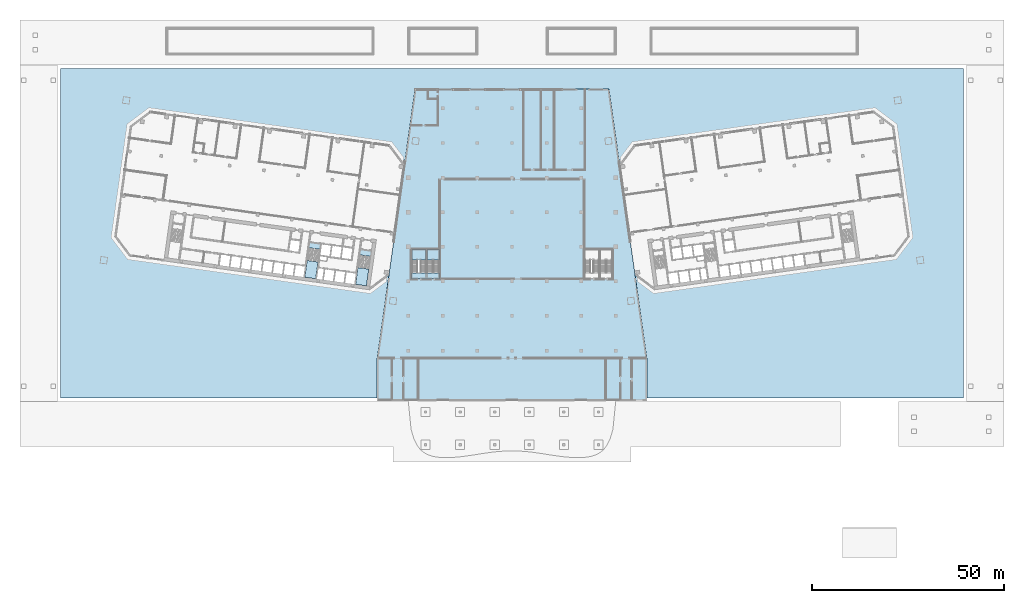
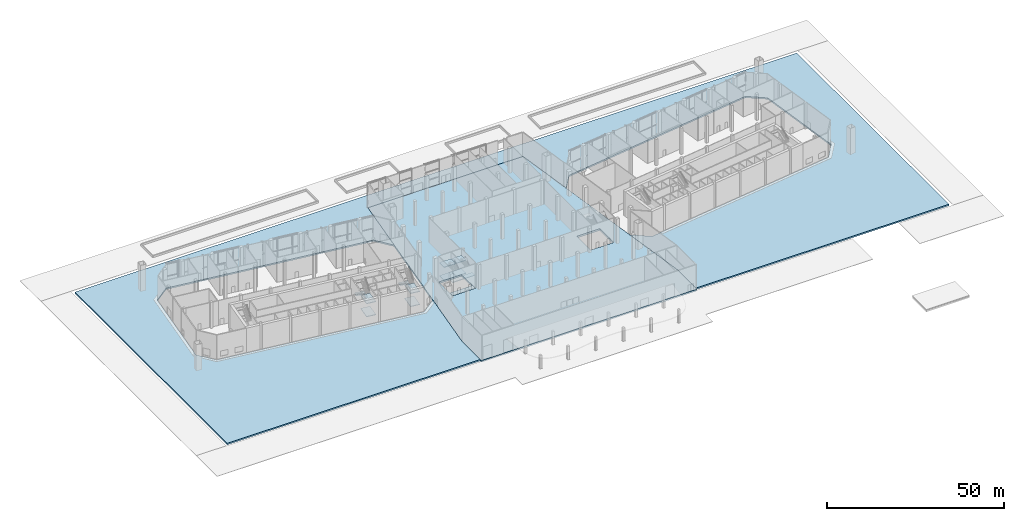
# One storey, part 10 of 34: 15 slabs, 4 elements without a shape of their own.
"""IFC4 building model written with IfcOpenShell, lengths in metres."""

from ifc_helpers import new_model, si_unit, direction, frame, origin, place, context, subcontext, project, spatial, polyline, outline, extrude, material, layer, layer_set, type_object, element, aggregate, save


model = new_model("IFC4")

# Units and contexts
model_context = context("Model", 3, precision=1e-05, world=origin(), true_north=direction((0.0, 1.0)))
body_context = subcontext(model_context, "Body", "Model", "MODEL_VIEW")
ifc_project = project(units=[si_unit("LENGTHUNIT", "METRE"), si_unit("AREAUNIT", "SQUARE_METRE"), si_unit("VOLUMEUNIT", "CUBIC_METRE"), si_unit("PLANEANGLEUNIT", "RADIAN"), si_unit("MASSUNIT", "GRAM", prefix="KILO")], contexts=[model_context])

# Site, building, storey
site_placement = place(None, origin())
site = spatial("IfcSite", under=ifc_project, at=site_placement, CompositionType="ELEMENT")
building_placement = place(site_placement, origin())
building = spatial("IfcBuilding", under=site, at=building_placement, Name="Mirante Cascada Hotel Towers", CompositionType="ELEMENT")
storey_placement = place(building_placement, origin())
storey = spatial("IfcBuildingStorey", under=building, at=storey_placement, Name="L00", CompositionType="ELEMENT", Elevation=0.0)

# Stair, slabs
ifc_material_1 = material(Name="Concrete C35/45", Category="concrete")
stair_type_1 = type_object("IfcStairType", Name="Exit stair half-turn 1350 concrete C35/45", PredefinedType="HALF_TURN_STAIR", material=ifc_material_1)
stair_1_placement = place(storey_placement, origin())
stair_1 = element("IfcStair", 1, at=stair_1_placement, inside=storey, type_object=stair_type_1, Name="L00 Exit stair A", PredefinedType="HALF_TURN_STAIR")
ifc_material_2 = material(Name="Concrete C35/45", Category="concrete")
ifc_layer_1 = layer(ifc_material_2, 0.2)
ifc_layer_set_1 = layer_set([ifc_layer_1], Name="Exit stair landing 200 concrete C35/45")
slab_type_1 = type_object("IfcSlabType", Name="Exit stair landing 200 concrete C35/45", PredefinedType="LANDING", material=ifc_layer_set_1)
slab_1_placement = place(storey_placement, frame((0.0, 0.0, 2.05)))
slab_1 = element("IfcSlab", 2, at=slab_1_placement, type_object=slab_type_1, Name="ST1-A landing 1", PredefinedType="LANDING", context=body_context, shape_type="SweptSolid", body=[
    extrude(outline(polyline([(-40.0767, -14.4205), (-40.6887, -18.7757), (-37.8665, -19.1723), (-37.2544, -14.8171), (-40.0767, -14.4205)])), origin(), (0.0, 0.0, 1.0), 0.2),
])
slab_2_placement = place(storey_placement, frame((0.0, 0.0, 4.3)))
slab_2 = element("IfcSlab", 3, at=slab_2_placement, type_object=slab_type_1, Name="ST1-A landing 2", PredefinedType="LANDING", context=body_context, shape_type="SweptSolid", body=[
    extrude(outline(polyline([(-39.4223, -9.7642), (-39.6113, -11.109), (-36.789, -11.5057), (-36.6, -10.1609), (-39.4223, -9.7642)])), origin(), (0.0, 0.0, 1.0), 0.2),
])
slab_3_placement = place(storey_placement, frame((0.0, 0.0, 6.55)))
slab_3 = element("IfcSlab", 4, at=slab_3_placement, type_object=slab_type_1, Name="ST1-A landing 3", PredefinedType="LANDING", context=body_context, shape_type="SweptSolid", body=[
    extrude(outline(polyline([(-40.0767, -14.4205), (-40.6887, -18.7757), (-37.8665, -19.1723), (-37.2544, -14.8171), (-40.0767, -14.4205)])), origin(), (0.0, 0.0, 1.0), 0.2),
])
aggregate(stair_1, [slab_1, slab_2, slab_3])

stair_2_placement = place(storey_placement, origin())
stair_2 = element("IfcStair", 5, at=stair_2_placement, inside=storey, type_object=stair_type_1, Name="L00 Exit stair B", PredefinedType="HALF_TURN_STAIR")
slab_4_placement = place(storey_placement, frame((0.0, 0.0, 2.05)))
slab_4 = element("IfcSlab", 6, at=slab_4_placement, type_object=slab_type_1, Name="ST1-B landing 1", PredefinedType="LANDING", context=body_context, shape_type="SweptSolid", body=[
    extrude(outline(polyline([(-53.2967, -12.5625), (-53.9088, -16.9177), (-51.0866, -17.3144), (-50.4745, -12.9592), (-53.2967, -12.5625)])), origin(), (0.0, 0.0, 1.0), 0.2),
])
slab_5_placement = place(storey_placement, frame((0.0, 0.0, 4.3)))
slab_5 = element("IfcSlab", 7, at=slab_5_placement, type_object=slab_type_1, Name="ST1-B landing 2", PredefinedType="LANDING", context=body_context, shape_type="SweptSolid", body=[
    extrude(outline(polyline([(-52.6423, -7.9063), (-52.8313, -9.2511), (-50.0091, -9.6477), (-49.8201, -8.3029), (-52.6423, -7.9063)])), origin(), (0.0, 0.0, 1.0), 0.2),
])
slab_6_placement = place(storey_placement, frame((0.0, 0.0, 6.55)))
slab_6 = element("IfcSlab", 8, at=slab_6_placement, type_object=slab_type_1, Name="ST1-B landing 3", PredefinedType="LANDING", context=body_context, shape_type="SweptSolid", body=[
    extrude(outline(polyline([(-53.2967, -12.5625), (-53.9088, -16.9177), (-51.0866, -17.3144), (-50.4745, -12.9592), (-53.2967, -12.5625)])), origin(), (0.0, 0.0, 1.0), 0.2),
])
aggregate(stair_2, [slab_4, slab_5, slab_6])

# Slabs
ifc_material_3 = material(Name="Concrete C35/45", Category="concrete")
ifc_layer_2 = layer(ifc_material_3, 0.6)
ifc_layer_set_2 = layer_set([ifc_layer_2], Name="Floor slab 600 C35/45")
slab_type_2 = type_object("IfcSlabType", Name="Floor slab 600 C35/45", PredefinedType="FLOOR", material=ifc_layer_set_2)
slab_7_placement = place(storey_placement, frame((0.0, 0.0, -0.6)))
element("IfcSlab", 9, at=slab_7_placement, inside=storey, type_object=slab_type_2, Name="Podium floor slab L00", PredefinedType="FLOOR", context=body_context, shape_type="SweptSolid", body=[
    extrude(outline(polyline([(-35.0595, -49.0), (-35.0595, -38.0), (-25.2216, 32.0), (25.2216, 32.0), (35.0595, -38.0), (35.0595, -49.0), (-35.0595, -49.0)]), holes=[polyline([(26.2, -17.4), (26.2, -9.6), (18.8, -9.6), (18.8, -17.4), (26.2, -17.4)]), polyline([(-18.8, -17.4), (-18.8, -9.6), (-26.2, -9.6), (-26.2, -17.4), (-18.8, -17.4)])]), origin(), (0.0, 0.0, 1.0), 0.6),
])
ifc_material_4 = material(Name="Concrete C35/45", Category="concrete")
ifc_layer_3 = layer(ifc_material_4, 0.5)
ifc_layer_set_3 = layer_set([ifc_layer_3], Name="Garden deck slab 500 C35/45")
slab_type_3 = type_object("IfcSlabType", Name="Garden deck slab 500 C35/45", PredefinedType="FLOOR", material=ifc_layer_set_3)
slab_8_placement = place(storey_placement, frame((0.0, 0.0, -0.5)))
element("IfcSlab", 10, at=slab_8_placement, inside=storey, type_object=slab_type_3, Name="Garden deck slab", PredefinedType="FLOOR", context=body_context, shape_type="SweptSolid", body=[
    extrude(outline(polyline([(35.0595, -48.4), (35.0595, -38.0), (32.018, -16.3589), (37.1005, -20.1888), (99.4874, -11.4209), (103.3173, -6.3384), (99.2813, 22.3794), (94.1988, 26.2093), (31.8119, 17.4414), (27.982, 12.3589), (25.2216, 32.0), (-25.2216, 32.0), (-27.982, 12.3589), (-31.8119, 17.4414), (-94.1988, 26.2093), (-99.2813, 22.3794), (-103.3173, -6.3384), (-99.4874, -11.4209), (-37.1005, -20.1888), (-32.018, -16.3589), (-35.0595, -38.0), (-35.0595, -48.4), (-117.4, -48.4), (-117.4, 37.4), (117.4, 37.4), (117.4, -48.4), (35.0595, -48.4)])), origin(), (0.0, 0.0, 1.0), 0.5),
])

# Stair, slabs
ifc_material_5 = material(Name="Concrete C35/45", Category="concrete")
stair_type_2 = type_object("IfcStairType", Name="Podium exit stair half-turn 1500 concrete C35/45", PredefinedType="HALF_TURN_STAIR", material=ifc_material_5)
stair_3_placement = place(storey_placement, origin())
stair_3 = element("IfcStair", 11, at=stair_3_placement, inside=storey, type_object=stair_type_2, Name="L00 Podium exit stair 3", PredefinedType="HALF_TURN_STAIR")
ifc_material_6 = material(Name="Concrete C35/45", Category="concrete")
ifc_layer_4 = layer(ifc_material_6, 0.2)
ifc_layer_set_4 = layer_set([ifc_layer_4], Name="Podium exit stair landing 200 concrete C35/45")
slab_type_4 = type_object("IfcSlabType", Name="Podium exit stair landing 200 concrete C35/45", PredefinedType="LANDING", material=ifc_layer_set_4)
slab_9_placement = place(storey_placement, frame((0.0, 0.0, 2.05)))
slab_9 = element("IfcSlab", 12, at=slab_9_placement, type_object=slab_type_4, Name="PS1 landing 1", PredefinedType="LANDING", context=body_context, shape_type="SweptSolid", body=[
    extrude(outline(polyline([(-18.925, -12.415), (-18.925, -9.725), (-22.075, -9.725), (-22.075, -12.415), (-18.925, -12.415)])), origin(), (0.0, 0.0, 1.0), 0.2),
])
slab_10_placement = place(storey_placement, frame((0.0, 0.0, 4.3)))
slab_10 = element("IfcSlab", 13, at=slab_10_placement, type_object=slab_type_4, Name="PS1 landing 2", PredefinedType="LANDING", context=body_context, shape_type="SweptSolid", body=[
    extrude(outline(polyline([(-18.925, -17.275), (-18.925, -15.775), (-22.075, -15.775), (-22.075, -17.275), (-18.925, -17.275)])), origin(), (0.0, 0.0, 1.0), 0.2),
])
slab_11_placement = place(storey_placement, frame((0.0, 0.0, 6.55)))
slab_11 = element("IfcSlab", 14, at=slab_11_placement, type_object=slab_type_4, Name="PS1 landing 3", PredefinedType="LANDING", context=body_context, shape_type="SweptSolid", body=[
    extrude(outline(polyline([(-18.925, -12.415), (-18.925, -9.725), (-22.075, -9.725), (-22.075, -12.415), (-18.925, -12.415)])), origin(), (0.0, 0.0, 1.0), 0.2),
])
aggregate(stair_3, [slab_9, slab_10, slab_11])

stair_4_placement = place(storey_placement, origin())
stair_4 = element("IfcStair", 15, at=stair_4_placement, inside=storey, type_object=stair_type_2, Name="L00 Podium exit stair 5", PredefinedType="HALF_TURN_STAIR")
slab_12_placement = place(storey_placement, frame((0.0, 0.0, 2.05)))
slab_12 = element("IfcSlab", 16, at=slab_12_placement, type_object=slab_type_4, Name="PS3 landing 1", PredefinedType="LANDING", context=body_context, shape_type="SweptSolid", body=[
    extrude(outline(polyline([(-22.325, -12.415), (-22.325, -9.725), (-26.075, -9.725), (-26.075, -12.415), (-22.325, -12.415)])), origin(), (0.0, 0.0, 1.0), 0.2),
])
slab_13_placement = place(storey_placement, frame((0.0, 0.0, 4.3)))
slab_13 = element("IfcSlab", 17, at=slab_13_placement, type_object=slab_type_4, Name="PS3 landing 2", PredefinedType="LANDING", context=body_context, shape_type="SweptSolid", body=[
    extrude(outline(polyline([(-22.325, -17.275), (-22.325, -15.775), (-26.075, -15.775), (-26.075, -17.275), (-22.325, -17.275)])), origin(), (0.0, 0.0, 1.0), 0.2),
])
slab_14_placement = place(storey_placement, frame((0.0, 0.0, 6.55)))
slab_14 = element("IfcSlab", 18, at=slab_14_placement, type_object=slab_type_4, Name="PS3 landing 3", PredefinedType="LANDING", context=body_context, shape_type="SweptSolid", body=[
    extrude(outline(polyline([(-22.325, -12.415), (-22.325, -9.725), (-26.075, -9.725), (-26.075, -12.415), (-22.325, -12.415)])), origin(), (0.0, 0.0, 1.0), 0.2),
])
aggregate(stair_4, [slab_12, slab_13, slab_14])

# Slab
ifc_material_7 = material(Name="Concrete C35/45", Category="concrete")
ifc_layer_5 = layer(ifc_material_7, 0.6)
ifc_layer_set_5 = layer_set([ifc_layer_5], Name="Stair floor landing 600 concrete C35/45")
slab_type_5 = type_object("IfcSlabType", Name="Stair floor landing 600 concrete C35/45", PredefinedType="LANDING", material=ifc_layer_set_5)
slab_15_placement = place(storey_placement, frame((0.0, 0.0, -0.6)))
element("IfcSlab", 19, at=slab_15_placement, inside=storey, type_object=slab_type_5, Name="Exit stair 3 floor landing L00", PredefinedType="LANDING", context=body_context, shape_type="SweptSolid", body=[
    extrude(outline(polyline([(-26.2, -17.4), (-18.8, -17.4), (-18.8, -15.775), (-26.2, -15.775), (-26.2, -17.4)])), origin(), (0.0, 0.0, 1.0), 0.6),
])

save(model, "model.ifc")
